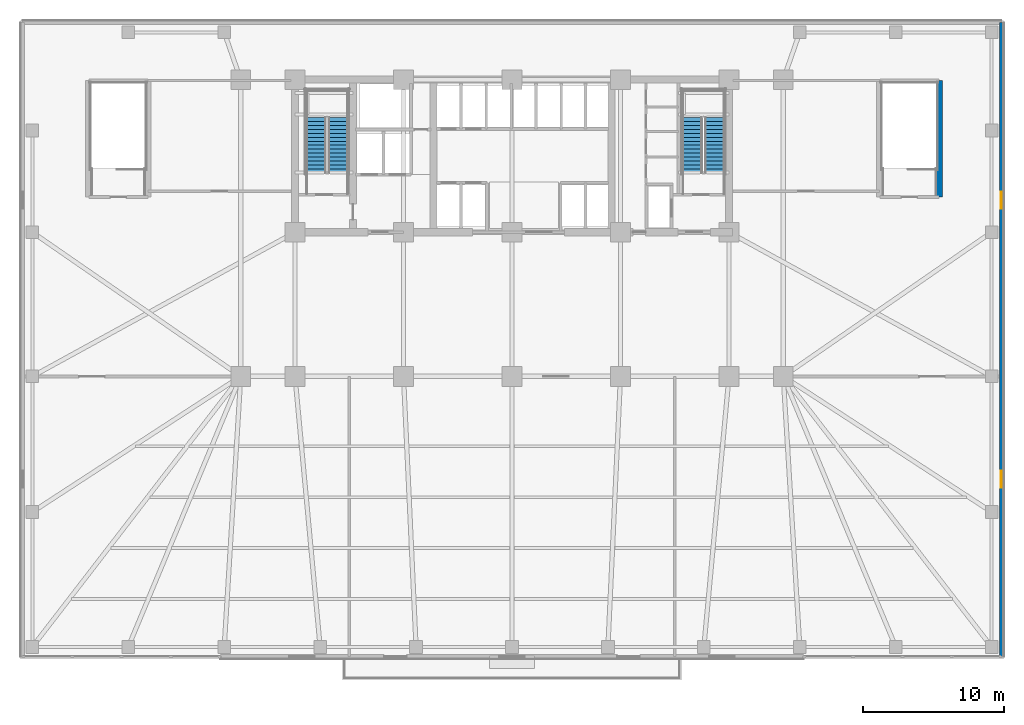
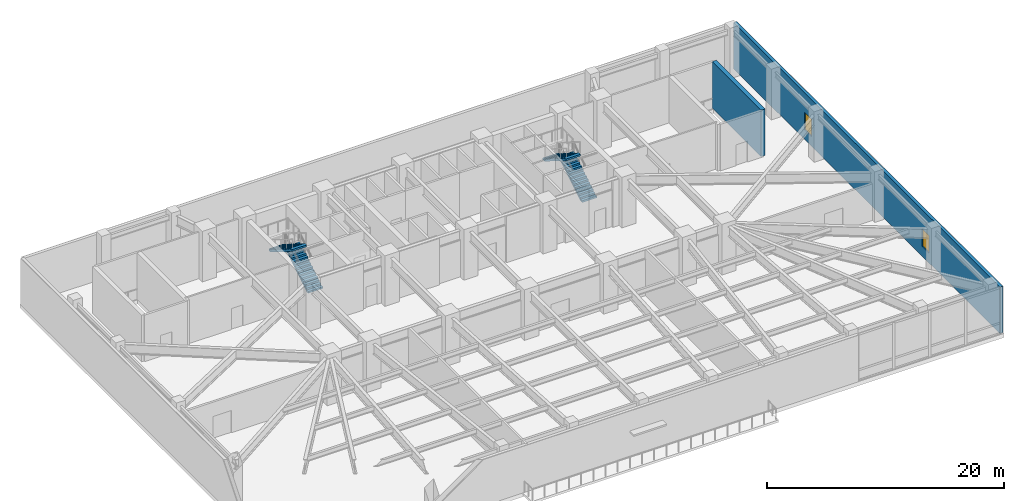
# One storey, part 10 of 15: 4 stair flights, 2 walls, 2 windows, 2 openings, 2 elements without a shape of their own.
"""IFC4 building model written with IfcOpenShell, lengths in metres."""

import ifcopenshell
import ifcopenshell.guid

model = None  # the IFC model being written
_history = None  # IfcOwnerHistory: only IFC2X3 demands one
_inside = {}  # id of a spatial element -> (the spatial element, [elements in it])
_under = {}  # id of a project, library or spatial element -> (it, [spatial elements below it])
_declared = {}  # id of a project -> (the project, [libraries it declares])
_typed = {}  # id of a type object -> (the type object, [elements of that type])
_made_of = {}  # id of a material, layer set ... -> (it, [elements and type objects made of it])


def new_model(schema):
    """Start an empty IFC model of exactly this schema.

    Asked for "IFC4X3", IfcOpenShell would pick the latest addendum, in which some entities
    have other attributes; the version numbers below select the first issue.
    IFC2X3 requires an IfcOwnerHistory on every rooted entity: one is made here for all.
    """
    global model, _history
    if schema == "IFC4X3":
        model = ifcopenshell.file(schema_version=(4, 3, 0, 0))
    else:
        model = ifcopenshell.file(schema=schema)
    _inside.clear()
    _under.clear()
    _declared.clear()
    _typed.clear()
    _made_of.clear()
    _history = None
    if model.schema == "IFC2X3":
        org = make("IfcOrganization", Name="unknown")
        user = make(
            "IfcPersonAndOrganization",
            ThePerson=make("IfcPerson", FamilyName="unknown"),
            TheOrganization=org,
        )
        app = make(
            "IfcApplication",
            ApplicationDeveloper=org,
            Version="unknown",
            ApplicationFullName="unknown",
            ApplicationIdentifier="unknown",
        )
        _history = make(
            "IfcOwnerHistory",
            OwningUser=user,
            OwningApplication=app,
            ChangeAction="ADDED",
            CreationDate=0,
        )
    return model


def make(cls, **values):
    """One entity of the class cls with the attributes given. An attribute that is None is left unset."""
    return model.create_entity(
        cls, **{name: value for name, value in values.items() if value is not None}
    )


def rooted(cls, **values):
    """An entity with a GlobalId (a new one), such as an element, a storey or a relation."""
    return make(cls, GlobalId=ifcopenshell.guid.new(), OwnerHistory=_history, **values)


def si_unit(unit_type, name, prefix=None):
    """IfcSIUnit, for example si_unit("LENGTHUNIT", "METRE", prefix="MILLI")."""
    return make("IfcSIUnit", UnitType=unit_type, Prefix=prefix, Name=name)


def assignment(units):
    """IfcUnitAssignment: the units of a project."""
    return None if units is None else make("IfcUnitAssignment", Units=units)


def point(xyz):
    """IfcCartesianPoint."""
    return None if xyz is None else make("IfcCartesianPoint", Coordinates=xyz)


def direction(xyz):
    """IfcDirection."""
    return None if xyz is None else make("IfcDirection", DirectionRatios=xyz)


def frame(location, z_axis=None, x_axis=None):
    """IfcAxis2Placement3D, a coordinate frame: its origin and axes. An axis left out is left unset."""
    return make(
        "IfcAxis2Placement3D",
        Location=point(location),
        Axis=direction(z_axis),
        RefDirection=direction(x_axis),
    )


def frame_2d(location, x_axis=None):
    """IfcAxis2Placement2D, a coordinate frame in the plane: its origin and x axis."""
    return make(
        "IfcAxis2Placement2D", Location=point(location), RefDirection=direction(x_axis)
    )


def origin():
    """The frame at (0, 0, 0) with its axes left unset."""
    return frame((0.0, 0.0, 0.0))


def place(relative_to, where):
    """IfcLocalPlacement: puts the frame where relative to a parent placement (None: the world)."""
    return make(
        "IfcLocalPlacement", PlacementRelTo=relative_to, RelativePlacement=where
    )


def context(
    kind, dimensions, precision=None, world=None, true_north=None, identifier=None
):
    """IfcGeometricRepresentationContext, for example the 3D "Model" context."""
    return make(
        "IfcGeometricRepresentationContext",
        ContextIdentifier=identifier,
        ContextType=kind,
        CoordinateSpaceDimension=dimensions,
        Precision=precision,
        WorldCoordinateSystem=world,
        TrueNorth=true_north,
    )


def subcontext(parent, identifier, kind, view, scale=None):
    """IfcGeometricRepresentationSubContext, for example "Body" below "Model"."""
    return make(
        "IfcGeometricRepresentationSubContext",
        ContextIdentifier=identifier,
        ContextType=kind,
        ParentContext=parent,
        TargetScale=scale,
        TargetView=view,
    )


def project(units=None, contexts=None):
    """IfcProject with its units and contexts."""
    return rooted(
        "IfcProject",
        Name="project",
        RepresentationContexts=contexts,
        UnitsInContext=assignment(units),
    )


def spatial(cls, under=None, at=None, **own):
    """A site, building, storey or space (cls), placed at a placement, below another one or the project."""
    s = rooted(cls, ObjectPlacement=at, **own)
    if under is not None:
        _under.setdefault(under.id(), (under, []))[1].append(s)
    return s


def polyline(points):
    """IfcPolyline through the points."""
    return make("IfcPolyline", Points=[point(p) for p in points])


def profile(cls, at=None, kind="AREA", **sizes):
    """A parametric profile (cls). Its sizes go by their IFC names, for example OverallWidth=200.0."""
    return make(cls, ProfileType=kind, Position=at, **sizes)


def rectangle(**sizes):
    """IfcRectangleProfileDef."""
    return profile("IfcRectangleProfileDef", **sizes)


def outline(outer, holes=None, kind="AREA"):
    """IfcArbitraryClosedProfileDef: a profile drawn as a closed curve; with holes, ...WithVoids."""
    if holes is None:
        return make("IfcArbitraryClosedProfileDef", ProfileType=kind, OuterCurve=outer)
    return make(
        "IfcArbitraryProfileDefWithVoids",
        ProfileType=kind,
        OuterCurve=outer,
        InnerCurves=holes,
    )


def extrude(swept, where, along, depth):
    """IfcExtrudedAreaSolid: the profile swept, set in the frame where, extruded along a direction by depth."""
    return make(
        "IfcExtrudedAreaSolid",
        SweptArea=swept,
        Position=where,
        ExtrudedDirection=direction(along),
        Depth=depth,
    )


def shape(context_of_items, identifier, shape_type, items):
    """IfcShapeRepresentation: the items that make up one representation, for example the "Body"."""
    return make(
        "IfcShapeRepresentation",
        ContextOfItems=context_of_items,
        RepresentationIdentifier=identifier,
        RepresentationType=shape_type,
        Items=items,
    )


def material(Name=None, Category=None):
    """IfcMaterial."""
    return make("IfcMaterial", Name=Name, Category=Category)


def layer(
    of_material, thickness, ventilated=None, Name=None, Category=None, Priority=None
):
    """IfcMaterialLayer: one layer of a wall or slab, of a material (None: an air gap)."""
    return make(
        "IfcMaterialLayer",
        Material=of_material,
        LayerThickness=thickness,
        IsVentilated=ventilated,
        Name=Name,
        Category=Category,
        Priority=Priority,
    )


def layer_set(layers, Name=None):
    """IfcMaterialLayerSet."""
    return make("IfcMaterialLayerSet", MaterialLayers=layers, LayerSetName=Name)


def made_of(thing, what):
    """Note that an element or type object is made of a material, layer set ...; save() writes the relation."""
    if what is not None:
        _made_of.setdefault(what.id(), (what, []))[1].append(thing)
    return thing


def type_object(cls, material=None, **own):
    """A type object (cls), such as IfcWallType, which elements share."""
    return made_of(rooted(cls, **own), material)


def element(
    cls,
    number,
    at=None,
    inside=None,
    cuts=None,
    type_object=None,
    material=None,
    context=None,
    identifier="Body",
    shape_type=None,
    held_by="IfcProductDefinitionShape",
    body=None,
    shapes=None,
    **own,
):
    """One element of the class cls, such as IfcWall. Its Tag is "e" and its number.

    at: its placement. inside: the storey or other place that contains it. cuts: it is an
    opening in that element (IfcRelVoidsElement). A single representation is given by context,
    identifier, shape_type and body (its items); several are given by shapes. held_by: the class
    of the entity that holds the representations. save() writes the other relations.
    """
    e = rooted(cls, Tag="e%d" % number, ObjectPlacement=at, **own)
    if body is not None:
        shapes = [shape(context, identifier, shape_type, body)]
    if shapes is not None:
        e.Representation = make(held_by, Representations=shapes)
    if inside is not None:
        _inside.setdefault(inside.id(), (inside, []))[1].append(e)
    if cuts is not None:
        rooted(
            "IfcRelVoidsElement", RelatingBuildingElement=cuts, RelatedOpeningElement=e
        )
    if type_object is not None:
        _typed.setdefault(type_object.id(), (type_object, []))[1].append(e)
    return made_of(e, material)


def fill(opening, filler):
    """IfcRelFillsElement: the door or window that sits in an opening."""
    return rooted(
        "IfcRelFillsElement",
        RelatingOpeningElement=opening,
        RelatedBuildingElement=filler,
    )


def aggregate(whole, parts):
    """IfcRelAggregates: a whole, such as a stair, and the parts it consists of."""
    return rooted("IfcRelAggregates", RelatingObject=whole, RelatedObjects=parts)


def save(model, path):
    """Write the relations noted so far, then the file.

    IfcRelAggregates (storeys below a building ...), IfcRelContainedInSpatialStructure (elements
    in a storey), IfcRelDefinesByType, IfcRelAssociatesMaterial and IfcRelDeclares: one each for
    every whole, place, type object, material and project.
    """
    for whole, parts in _under.values():
        aggregate(whole, parts)
    for where, things in _inside.values():
        rooted(
            "IfcRelContainedInSpatialStructure",
            RelatedElements=things,
            RelatingStructure=where,
        )
    for kind, things in _typed.values():
        rooted("IfcRelDefinesByType", RelatedObjects=things, RelatingType=kind)
    for what, things in _made_of.values():
        rooted("IfcRelAssociatesMaterial", RelatedObjects=things, RelatingMaterial=what)
    for by, libraries in _declared.values():
        rooted("IfcRelDeclares", RelatingContext=by, RelatedDefinitions=libraries)
    model.write(path)


model = new_model("IFC4")

# Units and contexts
model_context = context("Model", 3, precision=1e-05, world=origin(), true_north=direction((0.0, 1.0)))
body_context = subcontext(model_context, "Body", "Model", "MODEL_VIEW")
ifc_project = project(units=[si_unit("LENGTHUNIT", "METRE"), si_unit("AREAUNIT", "SQUARE_METRE"), si_unit("VOLUMEUNIT", "CUBIC_METRE"), si_unit("PLANEANGLEUNIT", "RADIAN"), si_unit("MASSUNIT", "GRAM", prefix="KILO")], contexts=[model_context])

# Site, building, storey
site_placement = place(None, origin())
site = spatial("IfcSite", under=ifc_project, at=site_placement, CompositionType="ELEMENT")
building_placement = place(site_placement, origin())
building = spatial("IfcBuilding", under=site, at=building_placement, Name="Yelkora Congress Tower", CompositionType="ELEMENT")
storey_placement = place(building_placement, frame((0.0, 0.0, 25.199951171875)))
storey = spatial("IfcBuildingStorey", under=building, at=storey_placement, Name="L05", CompositionType="ELEMENT", Elevation=25.199951171875)

# Wall
ifc_material_1 = material(Name="Concrete C50/60", Category="concrete")
ifc_layer_1 = layer(ifc_material_1, 0.39990234375)
ifc_layer_set_1 = layer_set([ifc_layer_1], Name="Concrete C50/60")
wall_type_1 = type_object("IfcWallType", Name="WALL-CORE-INT-400", PredefinedType="SHEAR", material=ifc_layer_set_1)
wall_1_placement = place(storey_placement, frame((68.659912109375, 37.89990234375, 0.0), z_axis=(0.0, 0.0, 1.0), x_axis=(0.0, 1.0, 0.0)))
element("IfcWall", 1, at=wall_1_placement, inside=storey, type_object=wall_type_1, Name="L05 STP2 East Shear Wall", PredefinedType="SHEAR", context=body_context, shape_type="SweptSolid", body=[
    extrude(rectangle(XDim=8.25, YDim=0.39990234375, at=frame_2d((4.125, 0.0))), origin(), (0.0, 0.0, 1.0), 4.780029296875),
])

# Wall, openings, windows
ifc_material_2 = material(Name="Concrete C40/50", Category="concrete")
ifc_layer_2 = layer(ifc_material_2, 0.280029296875)
ifc_layer_set_2 = layer_set([ifc_layer_2], Name="Concrete C40/50")
wall_type_2 = type_object("IfcWallType", Name="WALL-EXT-LIMESTONE-280", PredefinedType="SOLIDWALL", material=ifc_layer_set_2)
wall_2_placement = place(storey_placement, frame((73.0400390625, 50.239990234375, 0.0), z_axis=(0.0, 0.0, 1.0), x_axis=(0.0, -1.0, 0.0)))
wall_2 = element("IfcWall", 2, at=wall_2_placement, inside=storey, type_object=wall_type_2, Name="L05 Podium Limestone Wall 3", PredefinedType="SOLIDWALL", context=body_context, shape_type="SweptSolid", body=[
    extrude(rectangle(XDim=44.8798828125, YDim=0.280029296875, at=frame_2d((22.43994140625, 0.0))), origin(), (0.0, 0.0, 1.0), 4.780029296875),
])
opening_1_placement = place(wall_2_placement, frame((11.96630859375, 0.0, 1.0)))
opening_1 = element("IfcOpeningElement", 3, at=opening_1_placement, cuts=wall_2, Name="Opening WN-12", PredefinedType="OPENING", context=body_context, shape_type="SweptSolid", body=[
    extrude(rectangle(XDim=1.199951171875, YDim=1.800048828125, at=frame_2d((0.60009765625, 0.89990234375))), frame((0.0, 0.14990234375, 0.0), z_axis=(0.0, -1.0, 0.0), x_axis=(1.0, 0.0, 0.0)), (0.0, 0.0, 1.0), 0.300048828125),
])
opening_2_placement = place(wall_2_placement, frame((31.713623046875, 0.0, 1.0)))
opening_2 = element("IfcOpeningElement", 4, at=opening_2_placement, cuts=wall_2, Name="Opening WN-12", PredefinedType="OPENING", context=body_context, shape_type="SweptSolid", body=[
    extrude(rectangle(XDim=1.199951171875, YDim=1.800048828125, at=frame_2d((0.60009765625, 0.89990234375))), frame((0.0, 0.14990234375, 0.0), z_axis=(0.0, -1.0, 0.0), x_axis=(1.0, 0.0, 0.0)), (0.0, 0.0, 1.0), 0.300048828125),
])
ifc_material_3 = material(Name="Thermally broken aluminium window", Category="aluminium")
window_type = type_object("IfcWindowType", Name="WIN-POD-1200x1800", PartitioningType="SINGLE_PANEL", PredefinedType="WINDOW", material=ifc_material_3)
window_1_placement = place(opening_1_placement, origin())
window_1 = element("IfcWindow", 5, at=window_1_placement, inside=storey, type_object=window_type, Name="L05 Podium Facade Window 3-1", OverallHeight=1.800048828125, OverallWidth=1.199951171875, PartitioningType="SINGLE_PANEL", PredefinedType="WINDOW", context=body_context, shape_type="SweptSolid", body=[
    extrude(rectangle(XDim=1.199951171875, YDim=1.800048828125, at=frame_2d((0.60009765625, 0.89990234375))), frame((0.0, 0.030029296875, 0.0), z_axis=(0.0, -1.0, 0.0), x_axis=(1.0, 0.0, 0.0)), (0.0, 0.0, 1.0), 0.06005859375),
])
fill(opening_1, window_1)
window_2_placement = place(opening_2_placement, origin())
window_2 = element("IfcWindow", 6, at=window_2_placement, inside=storey, type_object=window_type, Name="L05 Podium Facade Window 3-2", OverallHeight=1.800048828125, OverallWidth=1.199951171875, PartitioningType="SINGLE_PANEL", PredefinedType="WINDOW", context=body_context, shape_type="SweptSolid", body=[
    extrude(rectangle(XDim=1.199951171875, YDim=1.800048828125, at=frame_2d((0.60009765625, 0.89990234375))), frame((0.0, 0.030029296875, 0.0), z_axis=(0.0, -1.0, 0.0), x_axis=(1.0, 0.0, 0.0)), (0.0, 0.0, 1.0), 0.06005859375),
])
fill(opening_2, window_2)

# Stair, stair flights
stair_type = type_object("IfcStairType", Name="STAIR-HT-1420-R30-173", PredefinedType="HALF_TURN_STAIR", material=ifc_material_2)
stair_1_placement = place(storey_placement, origin())
stair_1 = element("IfcStair", 7, at=stair_1_placement, inside=storey, type_object=stair_type, Name="West Core Protected Exit Stair ST-01 (L05)", PredefinedType="HALF_TURN_STAIR")
stair_flight_type = type_object("IfcStairFlightType", Name="FLIGHT-1420-N15-R173-G280", PredefinedType="STRAIGHT", material=ifc_material_2)
stair_flight_1_placement = place(storey_placement, frame((26.110107421875, 39.60009765625, 0.0), z_axis=(0.0, 0.0, 1.0), x_axis=(0.0, 1.0, 0.0)))
stair_flight_1 = element("IfcStairFlight", 8, at=stair_flight_1_placement, type_object=stair_flight_type, Name="ST-01 L05 Flight 1", NumberOfRisers=15, NumberOfTreads=14, PredefinedType="STRAIGHT", RiserHeight=0.173333333, TreadLength=0.28, context=body_context, shape_type="SweptSolid", body=[
    extrude(outline(polyline([(0.0, 0.0), (0.0, 0.17333984375), (0.280029296875, 0.17333984375), (0.280029296875, 0.3466796875), (0.56005859375, 0.3466796875), (0.56005859375, 0.52001953125), (0.840087890625, 0.52001953125), (0.840087890625, 0.693359375), (1.1201171875, 0.693359375), (1.1201171875, 0.86669921875), (1.39990234375, 0.86669921875), (1.39990234375, 1.0400390625), (1.679931640625, 1.0400390625), (1.679931640625, 1.21337890625), (1.9599609375, 1.21337890625), (1.9599609375, 1.38671875), (2.239990234375, 1.38671875), (2.239990234375, 1.56005859375), (2.52001953125, 1.56005859375), (2.52001953125, 1.7333984375), (2.800048828125, 1.7333984375), (2.800048828125, 1.90673828125), (3.080078125, 1.90673828125), (3.080078125, 2.080078125), (3.360107421875, 2.080078125), (3.360107421875, 2.25341796875), (3.639892578125, 2.25341796875), (3.639892578125, 2.4267578125), (3.919921875, 2.4267578125), (3.919921875, 2.60009765625), (3.919921875, 2.238525390625), (0.3037109375, 0.0), (0.0, 0.0)])), frame((0.0, 0.7099609375, 0.0), z_axis=(0.0, -1.0, 0.0), x_axis=(1.0, 0.0, 0.0)), (0.0, 0.0, 1.0), 1.419921875),
])
stair_flight_2_placement = place(storey_placement, frame((24.530029296875, 43.52001953125, 2.60009765625), z_axis=(0.0, 0.0, 1.0), x_axis=(0.0, -1.0, 0.0)))
stair_flight_2 = element("IfcStairFlight", 9, at=stair_flight_2_placement, type_object=stair_flight_type, Name="ST-01 L05 Flight 2", NumberOfRisers=15, NumberOfTreads=14, PredefinedType="STRAIGHT", RiserHeight=0.173333333, TreadLength=0.28, context=body_context, shape_type="SweptSolid", body=[
    extrude(outline(polyline([(0.0, 0.0), (0.0, 0.17333984375), (0.280029296875, 0.17333984375), (0.280029296875, 0.3466796875), (0.56005859375, 0.3466796875), (0.56005859375, 0.52001953125), (0.840087890625, 0.52001953125), (0.840087890625, 0.693359375), (1.1201171875, 0.693359375), (1.1201171875, 0.86669921875), (1.39990234375, 0.86669921875), (1.39990234375, 1.0400390625), (1.679931640625, 1.0400390625), (1.679931640625, 1.21337890625), (1.9599609375, 1.21337890625), (1.9599609375, 1.38671875), (2.239990234375, 1.38671875), (2.239990234375, 1.56005859375), (2.52001953125, 1.56005859375), (2.52001953125, 1.7333984375), (2.800048828125, 1.7333984375), (2.800048828125, 1.90673828125), (3.080078125, 1.90673828125), (3.080078125, 2.080078125), (3.360107421875, 2.080078125), (3.360107421875, 2.25341796875), (3.639892578125, 2.25341796875), (3.639892578125, 2.4267578125), (3.919921875, 2.4267578125), (3.919921875, 2.60009765625), (3.919921875, 2.238525390625), (0.3037109375, 0.0), (0.0, 0.0)])), frame((0.0, 0.7099609375, 0.0), z_axis=(0.0, -1.0, 0.0), x_axis=(1.0, 0.0, 0.0)), (0.0, 0.0, 1.0), 1.419921875),
])
aggregate(stair_1, [stair_flight_1, stair_flight_2])

stair_2_placement = place(storey_placement, origin())
stair_2 = element("IfcStair", 10, at=stair_2_placement, inside=storey, type_object=stair_type, Name="East Core Protected Exit Stair ST-02 (L05)", PredefinedType="HALF_TURN_STAIR")
stair_flight_3_placement = place(storey_placement, frame((52.75, 39.60009765625, 0.0), z_axis=(0.0, 0.0, 1.0), x_axis=(0.0, 1.0, 0.0)))
stair_flight_3 = element("IfcStairFlight", 11, at=stair_flight_3_placement, type_object=stair_flight_type, Name="ST-02 L05 Flight 1", NumberOfRisers=15, NumberOfTreads=14, PredefinedType="STRAIGHT", RiserHeight=0.173333333, TreadLength=0.28, context=body_context, shape_type="SweptSolid", body=[
    extrude(outline(polyline([(0.0, 0.0), (0.0, 0.17333984375), (0.280029296875, 0.17333984375), (0.280029296875, 0.3466796875), (0.56005859375, 0.3466796875), (0.56005859375, 0.52001953125), (0.840087890625, 0.52001953125), (0.840087890625, 0.693359375), (1.1201171875, 0.693359375), (1.1201171875, 0.86669921875), (1.39990234375, 0.86669921875), (1.39990234375, 1.0400390625), (1.679931640625, 1.0400390625), (1.679931640625, 1.21337890625), (1.9599609375, 1.21337890625), (1.9599609375, 1.38671875), (2.239990234375, 1.38671875), (2.239990234375, 1.56005859375), (2.52001953125, 1.56005859375), (2.52001953125, 1.7333984375), (2.800048828125, 1.7333984375), (2.800048828125, 1.90673828125), (3.080078125, 1.90673828125), (3.080078125, 2.080078125), (3.360107421875, 2.080078125), (3.360107421875, 2.25341796875), (3.639892578125, 2.25341796875), (3.639892578125, 2.4267578125), (3.919921875, 2.4267578125), (3.919921875, 2.60009765625), (3.919921875, 2.238525390625), (0.3037109375, 0.0), (0.0, 0.0)])), frame((0.0, 0.7099609375, 0.0), z_axis=(0.0, -1.0, 0.0), x_axis=(1.0, 0.0, 0.0)), (0.0, 0.0, 1.0), 1.419921875),
])
stair_flight_4_placement = place(storey_placement, frame((51.169921875, 43.52001953125, 2.60009765625), z_axis=(0.0, 0.0, 1.0), x_axis=(0.0, -1.0, 0.0)))
stair_flight_4 = element("IfcStairFlight", 12, at=stair_flight_4_placement, type_object=stair_flight_type, Name="ST-02 L05 Flight 2", NumberOfRisers=15, NumberOfTreads=14, PredefinedType="STRAIGHT", RiserHeight=0.173333333, TreadLength=0.28, context=body_context, shape_type="SweptSolid", body=[
    extrude(outline(polyline([(0.0, 0.0), (0.0, 0.17333984375), (0.280029296875, 0.17333984375), (0.280029296875, 0.3466796875), (0.56005859375, 0.3466796875), (0.56005859375, 0.52001953125), (0.840087890625, 0.52001953125), (0.840087890625, 0.693359375), (1.1201171875, 0.693359375), (1.1201171875, 0.86669921875), (1.39990234375, 0.86669921875), (1.39990234375, 1.0400390625), (1.679931640625, 1.0400390625), (1.679931640625, 1.21337890625), (1.9599609375, 1.21337890625), (1.9599609375, 1.38671875), (2.239990234375, 1.38671875), (2.239990234375, 1.56005859375), (2.52001953125, 1.56005859375), (2.52001953125, 1.7333984375), (2.800048828125, 1.7333984375), (2.800048828125, 1.90673828125), (3.080078125, 1.90673828125), (3.080078125, 2.080078125), (3.360107421875, 2.080078125), (3.360107421875, 2.25341796875), (3.639892578125, 2.25341796875), (3.639892578125, 2.4267578125), (3.919921875, 2.4267578125), (3.919921875, 2.60009765625), (3.919921875, 2.238525390625), (0.3037109375, 0.0), (0.0, 0.0)])), frame((0.0, 0.7099609375, 0.0), z_axis=(0.0, -1.0, 0.0), x_axis=(1.0, 0.0, 0.0)), (0.0, 0.0, 1.0), 1.419921875),
])
aggregate(stair_2, [stair_flight_3, stair_flight_4])

save(model, "model.ifc")
